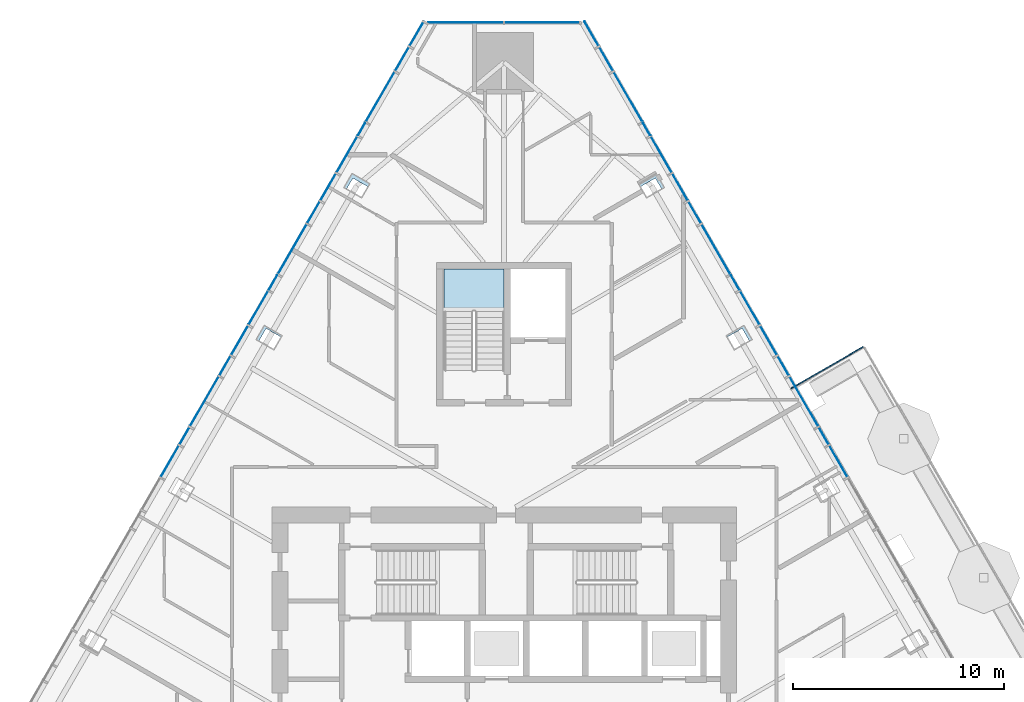
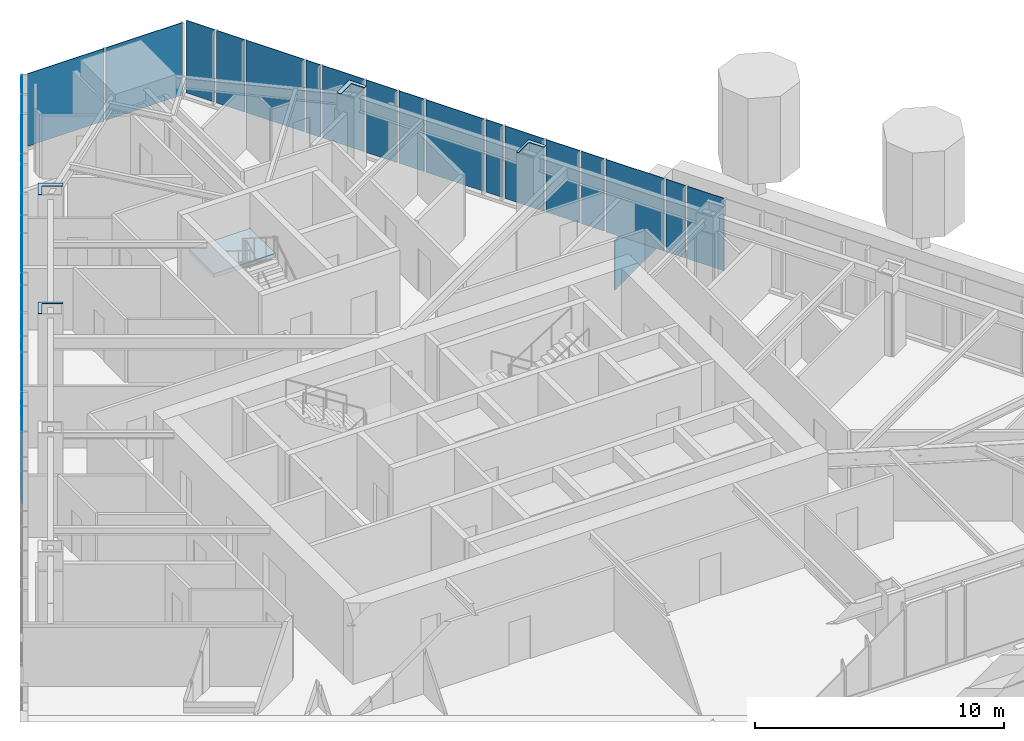
# One storey, part 10 of 18: 37 plates, 1 slab, 4 elements without a shape of their own.
"""IFC4 building model written with IfcOpenShell, lengths in metres."""

import ifcopenshell
import ifcopenshell.guid

model = None  # the IFC model being written
_history = None  # IfcOwnerHistory: only IFC2X3 demands one
_inside = {}  # id of a spatial element -> (the spatial element, [elements in it])
_under = {}  # id of a project, library or spatial element -> (it, [spatial elements below it])
_declared = {}  # id of a project -> (the project, [libraries it declares])
_typed = {}  # id of a type object -> (the type object, [elements of that type])
_made_of = {}  # id of a material, layer set ... -> (it, [elements and type objects made of it])


def new_model(schema):
    """Start an empty IFC model of exactly this schema.

    Asked for "IFC4X3", IfcOpenShell would pick the latest addendum, in which some entities
    have other attributes; the version numbers below select the first issue.
    IFC2X3 requires an IfcOwnerHistory on every rooted entity: one is made here for all.
    """
    global model, _history
    if schema == "IFC4X3":
        model = ifcopenshell.file(schema_version=(4, 3, 0, 0))
    else:
        model = ifcopenshell.file(schema=schema)
    _inside.clear()
    _under.clear()
    _declared.clear()
    _typed.clear()
    _made_of.clear()
    _history = None
    if model.schema == "IFC2X3":
        org = make("IfcOrganization", Name="unknown")
        user = make(
            "IfcPersonAndOrganization",
            ThePerson=make("IfcPerson", FamilyName="unknown"),
            TheOrganization=org,
        )
        app = make(
            "IfcApplication",
            ApplicationDeveloper=org,
            Version="unknown",
            ApplicationFullName="unknown",
            ApplicationIdentifier="unknown",
        )
        _history = make(
            "IfcOwnerHistory",
            OwningUser=user,
            OwningApplication=app,
            ChangeAction="ADDED",
            CreationDate=0,
        )
    return model


def make(cls, **values):
    """One entity of the class cls with the attributes given. An attribute that is None is left unset."""
    return model.create_entity(
        cls, **{name: value for name, value in values.items() if value is not None}
    )


def rooted(cls, **values):
    """An entity with a GlobalId (a new one), such as an element, a storey or a relation."""
    return make(cls, GlobalId=ifcopenshell.guid.new(), OwnerHistory=_history, **values)


def si_unit(unit_type, name, prefix=None):
    """IfcSIUnit, for example si_unit("LENGTHUNIT", "METRE", prefix="MILLI")."""
    return make("IfcSIUnit", UnitType=unit_type, Prefix=prefix, Name=name)


def assignment(units):
    """IfcUnitAssignment: the units of a project."""
    return None if units is None else make("IfcUnitAssignment", Units=units)


def point(xyz):
    """IfcCartesianPoint."""
    return None if xyz is None else make("IfcCartesianPoint", Coordinates=xyz)


def direction(xyz):
    """IfcDirection."""
    return None if xyz is None else make("IfcDirection", DirectionRatios=xyz)


def frame(location, z_axis=None, x_axis=None):
    """IfcAxis2Placement3D, a coordinate frame: its origin and axes. An axis left out is left unset."""
    return make(
        "IfcAxis2Placement3D",
        Location=point(location),
        Axis=direction(z_axis),
        RefDirection=direction(x_axis),
    )


def origin():
    """The frame at (0, 0, 0) with its axes left unset."""
    return frame((0.0, 0.0, 0.0))


def place(relative_to, where):
    """IfcLocalPlacement: puts the frame where relative to a parent placement (None: the world)."""
    return make(
        "IfcLocalPlacement", PlacementRelTo=relative_to, RelativePlacement=where
    )


def context(
    kind, dimensions, precision=None, world=None, true_north=None, identifier=None
):
    """IfcGeometricRepresentationContext, for example the 3D "Model" context."""
    return make(
        "IfcGeometricRepresentationContext",
        ContextIdentifier=identifier,
        ContextType=kind,
        CoordinateSpaceDimension=dimensions,
        Precision=precision,
        WorldCoordinateSystem=world,
        TrueNorth=true_north,
    )


def subcontext(parent, identifier, kind, view, scale=None):
    """IfcGeometricRepresentationSubContext, for example "Body" below "Model"."""
    return make(
        "IfcGeometricRepresentationSubContext",
        ContextIdentifier=identifier,
        ContextType=kind,
        ParentContext=parent,
        TargetScale=scale,
        TargetView=view,
    )


def project(units=None, contexts=None):
    """IfcProject with its units and contexts."""
    return rooted(
        "IfcProject",
        Name="project",
        RepresentationContexts=contexts,
        UnitsInContext=assignment(units),
    )


def spatial(cls, under=None, at=None, **own):
    """A site, building, storey or space (cls), placed at a placement, below another one or the project."""
    s = rooted(cls, ObjectPlacement=at, **own)
    if under is not None:
        _under.setdefault(under.id(), (under, []))[1].append(s)
    return s


def polyline(points):
    """IfcPolyline through the points."""
    return make("IfcPolyline", Points=[point(p) for p in points])


def outline(outer, holes=None, kind="AREA"):
    """IfcArbitraryClosedProfileDef: a profile drawn as a closed curve; with holes, ...WithVoids."""
    if holes is None:
        return make("IfcArbitraryClosedProfileDef", ProfileType=kind, OuterCurve=outer)
    return make(
        "IfcArbitraryProfileDefWithVoids",
        ProfileType=kind,
        OuterCurve=outer,
        InnerCurves=holes,
    )


def extrude(swept, where, along, depth):
    """IfcExtrudedAreaSolid: the profile swept, set in the frame where, extruded along a direction by depth."""
    return make(
        "IfcExtrudedAreaSolid",
        SweptArea=swept,
        Position=where,
        ExtrudedDirection=direction(along),
        Depth=depth,
    )


def shape(context_of_items, identifier, shape_type, items):
    """IfcShapeRepresentation: the items that make up one representation, for example the "Body"."""
    return make(
        "IfcShapeRepresentation",
        ContextOfItems=context_of_items,
        RepresentationIdentifier=identifier,
        RepresentationType=shape_type,
        Items=items,
    )


def material(Name=None, Category=None):
    """IfcMaterial."""
    return make("IfcMaterial", Name=Name, Category=Category)


def layer(
    of_material, thickness, ventilated=None, Name=None, Category=None, Priority=None
):
    """IfcMaterialLayer: one layer of a wall or slab, of a material (None: an air gap)."""
    return make(
        "IfcMaterialLayer",
        Material=of_material,
        LayerThickness=thickness,
        IsVentilated=ventilated,
        Name=Name,
        Category=Category,
        Priority=Priority,
    )


def layer_set(layers, Name=None):
    """IfcMaterialLayerSet."""
    return make("IfcMaterialLayerSet", MaterialLayers=layers, LayerSetName=Name)


def made_of(thing, what):
    """Note that an element or type object is made of a material, layer set ...; save() writes the relation."""
    if what is not None:
        _made_of.setdefault(what.id(), (what, []))[1].append(thing)
    return thing


def type_object(cls, material=None, **own):
    """A type object (cls), such as IfcWallType, which elements share."""
    return made_of(rooted(cls, **own), material)


def element(
    cls,
    number,
    at=None,
    inside=None,
    cuts=None,
    type_object=None,
    material=None,
    context=None,
    identifier="Body",
    shape_type=None,
    held_by="IfcProductDefinitionShape",
    body=None,
    shapes=None,
    **own,
):
    """One element of the class cls, such as IfcWall. Its Tag is "e" and its number.

    at: its placement. inside: the storey or other place that contains it. cuts: it is an
    opening in that element (IfcRelVoidsElement). A single representation is given by context,
    identifier, shape_type and body (its items); several are given by shapes. held_by: the class
    of the entity that holds the representations. save() writes the other relations.
    """
    e = rooted(cls, Tag="e%d" % number, ObjectPlacement=at, **own)
    if body is not None:
        shapes = [shape(context, identifier, shape_type, body)]
    if shapes is not None:
        e.Representation = make(held_by, Representations=shapes)
    if inside is not None:
        _inside.setdefault(inside.id(), (inside, []))[1].append(e)
    if cuts is not None:
        rooted(
            "IfcRelVoidsElement", RelatingBuildingElement=cuts, RelatedOpeningElement=e
        )
    if type_object is not None:
        _typed.setdefault(type_object.id(), (type_object, []))[1].append(e)
    return made_of(e, material)


def aggregate(whole, parts):
    """IfcRelAggregates: a whole, such as a stair, and the parts it consists of."""
    return rooted("IfcRelAggregates", RelatingObject=whole, RelatedObjects=parts)


def save(model, path):
    """Write the relations noted so far, then the file.

    IfcRelAggregates (storeys below a building ...), IfcRelContainedInSpatialStructure (elements
    in a storey), IfcRelDefinesByType, IfcRelAssociatesMaterial and IfcRelDeclares: one each for
    every whole, place, type object, material and project.
    """
    for whole, parts in _under.values():
        aggregate(whole, parts)
    for where, things in _inside.values():
        rooted(
            "IfcRelContainedInSpatialStructure",
            RelatedElements=things,
            RelatingStructure=where,
        )
    for kind, things in _typed.values():
        rooted("IfcRelDefinesByType", RelatedObjects=things, RelatingType=kind)
    for what, things in _made_of.values():
        rooted("IfcRelAssociatesMaterial", RelatedObjects=things, RelatingMaterial=what)
    for by, libraries in _declared.values():
        rooted("IfcRelDeclares", RelatingContext=by, RelatedDefinitions=libraries)
    model.write(path)


model = new_model("IFC4")

# Units and contexts
model_context = context("Model", 3, precision=1e-05, world=origin(), true_north=direction((0.0, 1.0)))
body_context = subcontext(model_context, "Body", "Model", "MODEL_VIEW")
ifc_project = project(units=[si_unit("LENGTHUNIT", "METRE"), si_unit("AREAUNIT", "SQUARE_METRE"), si_unit("VOLUMEUNIT", "CUBIC_METRE"), si_unit("PLANEANGLEUNIT", "RADIAN"), si_unit("MASSUNIT", "GRAM", prefix="KILO")], contexts=[model_context])

# Site, building, storey
site_placement = place(None, origin())
site = spatial("IfcSite", under=ifc_project, at=site_placement, CompositionType="ELEMENT")
building_placement = place(site_placement, origin())
building = spatial("IfcBuilding", under=site, at=building_placement, Name="Firuza Gate Tower and Library", CompositionType="ELEMENT")
storey_placement = place(building_placement, frame((0.0, 0.0, 226.0)))
storey = spatial("IfcBuildingStorey", under=building, at=storey_placement, Name="L53", CompositionType="ELEMENT", Elevation=226.0)

# Plates
ifc_material_1 = material(Name="Steel S355", Category="steel")
ifc_layer_1 = layer(ifc_material_1, 0.030029296875)
ifc_layer_set_1 = layer_set([ifc_layer_1], Name="Column infill plate 30 Steel S355")
plate_type_1 = type_object("IfcPlateType", Name="Column infill plate 30 Steel S355", PredefinedType="SHEET", material=ifc_layer_set_1)
placement_1 = place(storey_placement, frame((0.0, 0.0, 3.89990234375)))
element("IfcPlate", 1, at=placement_1, inside=storey, type_object=plate_type_1, Name="Infill plate L53:E4", PredefinedType="SHEET", context=body_context, shape_type="SweptSolid", body=[
    extrude(outline(polyline([(85.505126953125, 91.13134765625), (85.55126953125, 91.0517578125), (86.279052734375, 91.471923828125), (86.633056640625, 90.85888671875), (86.771240234375, 90.9384765625), (86.37109375, 91.63134765625), (85.505126953125, 91.13134765625)])), origin(), (0.0, 0.0, 1.0), 0.030029296875),
])
element("IfcPlate", 2, at=placement_1, inside=storey, type_object=plate_type_1, Name="Infill plate L53:E5", PredefinedType="SHEET", context=body_context, shape_type="SweptSolid", body=[
    extrude(outline(polyline([(81.346435546875, 98.334716796875), (81.4384765625, 98.17529296875), (82.166259765625, 98.595458984375), (82.474365234375, 98.06201171875), (82.6123046875, 98.141845703125), (82.21240234375, 98.834716796875), (81.346435546875, 98.334716796875)])), origin(), (0.0, 0.0, 1.0), 0.030029296875),
])
element("IfcPlate", 3, at=placement_1, inside=storey, type_object=plate_type_1, Name="Infill plate L53:W1", PredefinedType="SHEET", context=body_context, shape_type="SweptSolid", body=[
    extrude(outline(polyline([(67.3876953125, 98.141845703125), (67.525634765625, 98.06201171875), (67.833740234375, 98.595458984375), (68.5615234375, 98.17529296875), (68.653564453125, 98.334716796875), (67.78759765625, 98.834716796875), (67.3876953125, 98.141845703125)])), origin(), (0.0, 0.0, 1.0), 0.030029296875),
])
element("IfcPlate", 4, at=placement_1, inside=storey, type_object=plate_type_1, Name="Infill plate L53:W2", PredefinedType="SHEET", context=body_context, shape_type="SweptSolid", body=[
    extrude(outline(polyline([(63.228759765625, 90.9384765625), (63.366943359375, 90.85888671875), (63.720947265625, 91.471923828125), (64.44873046875, 91.0517578125), (64.494873046875, 91.13134765625), (63.62890625, 91.63134765625), (63.228759765625, 90.9384765625)])), origin(), (0.0, 0.0, 1.0), 0.030029296875),
])

# Curtain wall, plates
ifc_material_2 = material(Name="Aluminium 6063-T6", Category="aluminium")
ifc_layer_2 = layer(ifc_material_2, 0.14990234375)
ifc_layer_set_2 = layer_set([ifc_layer_2], Name="Corner curtain wall, chamfers")
curtain_wall_type_1 = type_object("IfcCurtainWallType", Name="Corner curtain wall, chamfers", PredefinedType="NOTDEFINED", material=ifc_layer_set_2)
placement_2 = place(storey_placement, origin())
curtain_wall_1 = element("IfcCurtainWall", 5, at=placement_2, inside=storey, type_object=curtain_wall_type_1, Name="CW4 L53 N corner", PredefinedType="NOTDEFINED")
ifc_material_3 = material(Name="Fritted glass", Category="glass")
ifc_layer_3 = layer(ifc_material_3, 0.030029296875)
ifc_layer_set_3 = layer_set([ifc_layer_3], Name="Fritted glass unit, corners")
plate_type_2 = type_object("IfcPlateType", Name="Fritted glass unit, corners", PredefinedType="CURTAIN_PANEL", material=ifc_layer_set_3)
plate_5_placement = place(storey_placement, frame((78.603271484375, 105.9814453125, 0.14990234375), z_axis=(0.0, 1.0, 0.0), x_axis=(-1.0, 0.0, 0.0)))
plate_5 = element("IfcPlate", 6, at=plate_5_placement, type_object=plate_type_2, Name="Glass unit", PredefinedType="CURTAIN_PANEL", context=body_context, shape_type="SweptSolid", body=[
    extrude(outline(polyline([(0.0, 0.0), (3.563232421875, 0.0), (3.563232421875, 3.550048828125), (0.0, 3.550048828125), (0.0, 0.0)])), origin(), (0.0, 0.0, -1.0), 0.030029296875),
])
plate_6_placement = place(storey_placement, frame((74.9599609375, 105.9814453125, 0.14990234375), z_axis=(0.0, 1.0, 0.0), x_axis=(-1.0, 0.0, 0.0)))
plate_6 = element("IfcPlate", 7, at=plate_6_placement, type_object=plate_type_2, Name="Glass unit", PredefinedType="CURTAIN_PANEL", context=body_context, shape_type="SweptSolid", body=[
    extrude(outline(polyline([(0.0, 0.0), (3.563232421875, 0.0), (3.563232421875, 3.550048828125), (0.0, 3.550048828125), (0.0, 0.0)])), origin(), (0.0, 0.0, -1.0), 0.030029296875),
])
aggregate(curtain_wall_1, [plate_5, plate_6])

ifc_material_4 = material(Name="Aluminium 6063-T6", Category="aluminium")
ifc_layer_4 = layer(ifc_material_4, 0.14990234375)
ifc_layer_set_4 = layer_set([ifc_layer_4], Name="Unitised curtain wall, hotel")
curtain_wall_type_2 = type_object("IfcCurtainWallType", Name="Unitised curtain wall, hotel", PredefinedType="NOTDEFINED", material=ifc_layer_set_4)
curtain_wall_2 = element("IfcCurtainWall", 8, at=placement_2, inside=storey, type_object=curtain_wall_type_2, Name="CW2 L53 E face", PredefinedType="NOTDEFINED")
ifc_material_5 = material(Name="Fritted glass", Category="glass")
ifc_layer_5 = layer(ifc_material_5, 0.030029296875)
ifc_layer_set_5 = layer_set([ifc_layer_5], Name="Fritted glass unit, hotel")
plate_type_3 = type_object("IfcPlateType", Name="Fritted glass unit, hotel", PredefinedType="CURTAIN_PANEL", material=ifc_layer_set_5)
plate_7_placement = place(storey_placement, frame((91.281494140625, 84.4462890625, 0.14990234375), z_axis=(0.866042039906, 0.499971184285, 0.0), x_axis=(-0.499971184285, 0.866042039906, 0.0)))
plate_7 = element("IfcPlate", 9, at=plate_7_placement, type_object=plate_type_3, Name="Glass unit", PredefinedType="CURTAIN_PANEL", context=body_context, shape_type="SweptSolid", body=[
    extrude(outline(polyline([(0.0, 0.0), (1.6993166840492058, 0.0), (1.6993166840492058, 3.550048828125), (0.0, 3.550048828125), (0.0, 0.0)])), origin(), (0.0, 0.0, -1.0), 0.030029296875),
])
plate_8_placement = place(storey_placement, frame((87.943359375, 90.228271484375, 0.14990234375), z_axis=(0.86601269935, 0.50002200408, 0.0), x_axis=(-0.50002200408, 0.86601269935, 0.0)))
plate_8 = element("IfcPlate", 10, at=plate_8_placement, type_object=plate_type_3, Name="Glass unit", PredefinedType="CURTAIN_PANEL", context=body_context, shape_type="SweptSolid", body=[
    extrude(outline(polyline([(0.0, 0.0), (1.5756142538658275, 0.0), (1.5756142538658275, 3.550048828125), (0.0, 3.550048828125), (0.0, 0.0)])), origin(), (0.0, 0.0, -1.0), 0.030029296875),
])
plate_9_placement = place(storey_placement, frame((87.115478515625, 91.662109375, 0.14990234375), z_axis=(0.86603391986, 0.499985249434, 0.0), x_axis=(-0.499985249434, 0.86603391986, 0.0)))
plate_9 = element("IfcPlate", 11, at=plate_9_placement, type_object=plate_type_3, Name="Glass unit", PredefinedType="CURTAIN_PANEL", context=body_context, shape_type="SweptSolid", body=[
    extrude(outline(polyline([(0.0, 0.0), (1.8228076811409097, 0.0), (1.8228076811409097, 3.550048828125), (0.0, 3.550048828125), (0.0, 0.0)])), origin(), (0.0, 0.0, -1.0), 0.030029296875),
])
plate_10_placement = place(storey_placement, frame((83.715576171875, 97.551025390625, 0.14990234375), z_axis=(0.866020397698, 0.500008670696, 0.0), x_axis=(-0.500008670696, 0.866020397698, 0.0)))
plate_10 = element("IfcPlate", 12, at=plate_10_placement, type_object=plate_type_3, Name="Glass unit", PredefinedType="CURTAIN_PANEL", context=body_context, shape_type="SweptSolid", body=[
    extrude(outline(polyline([(0.0, 0.0), (1.4521232556620502, 0.0), (1.4521232556620502, 3.550048828125001), (0.0, 3.550048828125001), (0.0, 0.0)])), origin(), (0.0, 0.0, -1.0), 0.030029296875),
])
plate_11_placement = place(storey_placement, frame((82.949462890625, 98.8779296875, 0.14990234375), z_axis=(0.866026830048, 0.499997529631, 0.0), x_axis=(-0.499997529631, 0.866026830048, 0.0)))
plate_11 = element("IfcPlate", 13, at=plate_11_placement, type_object=plate_type_3, Name="Glass unit", PredefinedType="CURTAIN_PANEL", context=body_context, shape_type="SweptSolid", body=[
    extrude(outline(polyline([(0.0, 0.0), (1.9462986786523924, 0.0), (1.9462986786523924, 3.5500488281249996), (0.0, 3.5500488281249996), (0.0, 0.0)])), origin(), (0.0, 0.0, -1.0), 0.030029296875),
])
plate_12_placement = place(storey_placement, frame((79.487548828125, 104.8740234375, 0.14990234375), z_axis=(0.866063163075, 0.499934593286, 0.0), x_axis=(-0.499934593286, 0.866063163075, 0.0)))
plate_12 = element("IfcPlate", 14, at=plate_12_placement, type_object=plate_type_3, Name="Glass unit", PredefinedType="CURTAIN_PANEL", context=body_context, shape_type="SweptSolid", body=[
    extrude(outline(polyline([(0.0, 0.0), (1.3282987593136344, 0.0), (1.3282987593136344, 3.550048828125), (0.0, 3.550048828125), (0.0, 0.0)])), origin(), (0.0, 0.0, -1.0), 0.030029296875),
])

curtain_wall_3 = element("IfcCurtainWall", 15, at=placement_2, inside=storey, type_object=curtain_wall_type_2, Name="CW2 L53 W face", PredefinedType="NOTDEFINED")
plate_13_placement = place(storey_placement, frame((71.176513671875, 106.0244140625, 0.14990234375), z_axis=(-0.866063163075, 0.499934593286, 0.0), x_axis=(-0.499934593286, -0.866063163075, 0.0)))
plate_13 = element("IfcPlate", 16, at=plate_13_placement, type_object=plate_type_3, Name="Glass unit", PredefinedType="CURTAIN_PANEL", context=body_context, shape_type="SweptSolid", body=[
    extrude(outline(polyline([(0.0, 0.0), (1.3282987593136344, 0.0), (1.3282987593136344, 3.550048828125), (0.0, 3.550048828125), (0.0, 0.0)])), origin(), (0.0, 0.0, -1.0), 0.030029296875),
])
plate_14_placement = place(storey_placement, frame((68.023681640625, 100.5634765625, 0.14990234375), z_axis=(-0.866026830048, 0.499997529631, 0.0), x_axis=(-0.499997529631, -0.866026830048, 0.0)))
plate_14 = element("IfcPlate", 17, at=plate_14_placement, type_object=plate_type_3, Name="Glass unit", PredefinedType="CURTAIN_PANEL", context=body_context, shape_type="SweptSolid", body=[
    extrude(outline(polyline([(0.0, 0.0), (1.9462986786523924, 0.0), (1.9462986786523924, 3.5500488281249996), (0.0, 3.5500488281249996), (0.0, 0.0)])), origin(), (0.0, 0.0, -1.0), 0.030029296875),
])
plate_15_placement = place(storey_placement, frame((67.010498046875, 98.80859375, 0.14990234375), z_axis=(-0.866020397698, 0.500008670696, 0.0), x_axis=(-0.500008670696, -0.866020397698, 0.0)))
plate_15 = element("IfcPlate", 18, at=plate_15_placement, type_object=plate_type_3, Name="Glass unit", PredefinedType="CURTAIN_PANEL", context=body_context, shape_type="SweptSolid", body=[
    extrude(outline(polyline([(0.0, 0.0), (1.4521232556620502, 0.0), (1.4521232556620502, 3.550048828125001), (0.0, 3.550048828125001), (0.0, 0.0)])), origin(), (0.0, 0.0, -1.0), 0.030029296875),
])
plate_16_placement = place(storey_placement, frame((63.7958984375, 93.24072265625, 0.14990234375), z_axis=(-0.86603391986, 0.499985249434, 0.0), x_axis=(-0.499985249434, -0.86603391986, 0.0)))
plate_16 = element("IfcPlate", 19, at=plate_16_placement, type_object=plate_type_3, Name="Glass unit", PredefinedType="CURTAIN_PANEL", context=body_context, shape_type="SweptSolid", body=[
    extrude(outline(polyline([(0.0, 0.0), (1.8228076811409097, 0.0), (1.8228076811409097, 3.550048828125), (0.0, 3.550048828125), (0.0, 0.0)])), origin(), (0.0, 0.0, -1.0), 0.030029296875),
])
plate_17_placement = place(storey_placement, frame((62.844482421875, 91.5927734375, 0.14990234375), z_axis=(-0.86601269935, 0.50002200408, 0.0), x_axis=(-0.50002200408, -0.86601269935, 0.0)))
plate_17 = element("IfcPlate", 20, at=plate_17_placement, type_object=plate_type_3, Name="Glass unit", PredefinedType="CURTAIN_PANEL", context=body_context, shape_type="SweptSolid", body=[
    extrude(outline(polyline([(0.0, 0.0), (1.5756142538658275, 0.0), (1.5756142538658275, 3.550048828125), (0.0, 3.550048828125), (0.0, 0.0)])), origin(), (0.0, 0.0, -1.0), 0.030029296875),
])
plate_18_placement = place(storey_placement, frame((59.568115234375, 85.91796875, 0.14990234375), z_axis=(-0.866042039906, 0.499971184285, 0.0), x_axis=(-0.499971184285, -0.866042039906, 0.0)))
plate_18 = element("IfcPlate", 21, at=plate_18_placement, type_object=plate_type_3, Name="Glass unit", PredefinedType="CURTAIN_PANEL", context=body_context, shape_type="SweptSolid", body=[
    extrude(outline(polyline([(0.0, 0.0), (1.6993166840492058, 0.0), (1.6993166840492058, 3.550048828125), (0.0, 3.550048828125), (0.0, 0.0)])), origin(), (0.0, 0.0, -1.0), 0.030029296875),
])

# Plate
ifc_material_6 = material(Name="Glazed ceramic tile")
ifc_layer_6 = layer(ifc_material_6, 0.030029296875)
ifc_layer_set_6 = layer_set([ifc_layer_6], Name="Opaque ceramic panel, hotel")
plate_type_4 = type_object("IfcPlateType", Name="Opaque ceramic panel, hotel", PredefinedType="CURTAIN_PANEL", material=ifc_layer_set_6)
plate_19_placement = place(storey_placement, frame((90.391845703125, 85.9873046875, 0.14990234375), z_axis=(0.866008413041, 0.500029427677, 0.0), x_axis=(-0.500029427677, 0.866008413041, 0.0)))
plate_19 = element("IfcPlate", 22, at=plate_19_placement, type_object=plate_type_4, Name="Opaque ceramic panel", PredefinedType="CURTAIN_PANEL", context=body_context, shape_type="SweptSolid", body=[
    extrude(outline(polyline([(0.0, 0.0), (0.9179147258039041, 0.0), (0.9179147258039041, 3.550048828125001), (0.0, 3.550048828125001), (0.0, 0.0)])), origin(), (0.0, 0.0, -1.0), 0.030029296875),
])

plate_20_placement = place(storey_placement, frame((89.892822265625, 86.8515625, 0.14990234375), z_axis=(0.866028828302, 0.499994068514, 0.0), x_axis=(-0.499994068514, 0.866028828302, 0.0)))
plate_20 = element("IfcPlate", 23, at=plate_20_placement, type_object=plate_type_4, Name="Opaque ceramic panel", PredefinedType="CURTAIN_PANEL", context=body_context, shape_type="SweptSolid", body=[
    extrude(outline(polyline([(0.0, 0.0), (2.6972976229659773, 0.0), (2.6972976229659773, 3.550048828125001), (0.0, 3.550048828125001), (0.0, 0.0)])), origin(), (0.0, 0.0, -1.0), 0.030029296875),
])

plate_21_placement = place(storey_placement, frame((88.504150390625, 89.2568359375, 0.14990234375), z_axis=(0.866056787991, 0.499945637019, 0.0), x_axis=(-0.499945637019, 0.866056787991, 0.0)))
plate_21 = element("IfcPlate", 24, at=plate_21_placement, type_object=plate_type_4, Name="Opaque ceramic panel", PredefinedType="CURTAIN_PANEL", context=body_context, shape_type="SweptSolid", body=[
    extrude(outline(polyline([(0.0, 0.0), (1.041617157077412, 0.0), (1.041617157077412, 3.550048828125), (0.0, 3.550048828125), (0.0, 0.0)])), origin(), (0.0, 0.0, -1.0), 0.030029296875),
])

plate_22_placement = place(storey_placement, frame((86.1640625, 93.31005859375, 0.14990234375), z_axis=(0.866021818598, 0.500006209673, 0.0), x_axis=(-0.500006209673, 0.866021818598, 0.0)))
plate_22 = element("IfcPlate", 25, at=plate_22_placement, type_object=plate_type_4, Name="Opaque ceramic panel", PredefinedType="CURTAIN_PANEL", context=body_context, shape_type="SweptSolid", body=[
    extrude(outline(polyline([(0.0, 0.0), (0.7944237275264152, 0.0), (0.7944237275264152, 3.550048828125), (0.0, 3.550048828125), (0.0, 0.0)])), origin(), (0.0, 0.0, -1.0), 0.030029296875),
])

plate_23_placement = place(storey_placement, frame((85.726806640625, 94.0673828125, 0.14990234375), z_axis=(0.866028828302, 0.499994068514, 0.0), x_axis=(-0.499994068514, 0.866028828302, 0.0)))
plate_23 = element("IfcPlate", 26, at=plate_23_placement, type_object=plate_type_4, Name="Opaque ceramic panel", PredefinedType="CURTAIN_PANEL", context=body_context, shape_type="SweptSolid", body=[
    extrude(outline(polyline([(0.0, 0.0), (2.6972976229659773, 0.0), (2.6972976229659773, 3.550048828125001), (0.0, 3.550048828125001), (0.0, 0.0)])), origin(), (0.0, 0.0, -1.0), 0.030029296875),
])

plate_24_placement = place(storey_placement, frame((84.338134765625, 96.47265625, 0.14990234375), z_axis=(0.86609488692, 0.499879632363, 0.0), x_axis=(-0.499879632363, 0.86609488692, 0.0)))
plate_24 = element("IfcPlate", 27, at=plate_24_placement, type_object=plate_type_4, Name="Opaque ceramic panel", PredefinedType="CURTAIN_PANEL", context=body_context, shape_type="SweptSolid", body=[
    extrude(outline(polyline([(0.0, 0.0), (1.1653195960313958, 0.0), (1.1653195960313958, 3.550048828125), (0.0, 3.550048828125), (0.0, 0.0)])), origin(), (0.0, 0.0, -1.0), 0.030029296875),
])

plate_25_placement = place(storey_placement, frame((81.936279296875, 100.6328125, 0.14990234375), z_axis=(0.866040157966, 0.499974444137, 0.0), x_axis=(-0.499974444137, 0.866040157966, 0.0)))
plate_25 = element("IfcPlate", 28, at=plate_25_placement, type_object=plate_type_4, Name="Opaque ceramic panel", PredefinedType="CURTAIN_PANEL", context=body_context, shape_type="SweptSolid", body=[
    extrude(outline(polyline([(0.0, 0.0), (0.6709327300301484, 0.0), (0.6709327300301484, 3.550048828125), (0.0, 3.550048828125), (0.0, 0.0)])), origin(), (0.0, 0.0, -1.0), 0.030029296875),
])

plate_26_placement = place(storey_placement, frame((81.560791015625, 101.283203125, 0.14990234375), z_axis=(0.866028828302, 0.499994068514, 0.0), x_axis=(-0.499994068514, 0.866028828302, 0.0)))
plate_26 = element("IfcPlate", 29, at=plate_26_placement, type_object=plate_type_4, Name="Opaque ceramic panel", PredefinedType="CURTAIN_PANEL", context=body_context, shape_type="SweptSolid", body=[
    extrude(outline(polyline([(0.0, 0.0), (2.6972976229659773, 0.0), (2.6972976229659773, 3.550048828125001), (0.0, 3.550048828125001), (0.0, 0.0)])), origin(), (0.0, 0.0, -1.0), 0.030029296875),
])

plate_27_placement = place(storey_placement, frame((80.172119140625, 103.688232421875, 0.14990234375), z_axis=(0.866043672316, 0.49996835664, 0.0), x_axis=(-0.49996835664, 0.866043672316, 0.0)))
plate_27 = element("IfcPlate", 30, at=plate_27_placement, type_object=plate_type_4, Name="Opaque ceramic panel", PredefinedType="CURTAIN_PANEL", context=body_context, shape_type="SweptSolid", body=[
    extrude(outline(polyline([(0.0, 0.0), (1.2891440857009206, 0.0), (1.2891440857009206, 3.550048828125), (0.0, 3.550048828125), (0.0, 0.0)])), origin(), (0.0, 0.0, -1.0), 0.030029296875),
])

aggregate(curtain_wall_2, [plate_7, plate_19, plate_20, plate_21, plate_8, plate_9, plate_22, plate_23, plate_24, plate_10, plate_11, plate_25, plate_26, plate_27, plate_12])

plate_28_placement = place(storey_placement, frame((70.472412109375, 104.8046875, 0.14990234375), z_axis=(-0.866043672316, 0.49996835664, 0.0), x_axis=(-0.49996835664, -0.866043672316, 0.0)))
plate_28 = element("IfcPlate", 31, at=plate_28_placement, type_object=plate_type_4, Name="Opaque ceramic panel", PredefinedType="CURTAIN_PANEL", context=body_context, shape_type="SweptSolid", body=[
    extrude(outline(polyline([(0.0, 0.0), (1.2891440857009206, 0.0), (1.2891440857009206, 3.550048828125), (0.0, 3.550048828125), (0.0, 0.0)])), origin(), (0.0, 0.0, -1.0), 0.030029296875),
])

plate_29_placement = place(storey_placement, frame((69.787841796875, 103.619140625, 0.14990234375), z_axis=(-0.866028828302, 0.499994068514, 0.0), x_axis=(-0.499994068514, -0.866028828302, 0.0)))
plate_29 = element("IfcPlate", 32, at=plate_29_placement, type_object=plate_type_4, Name="Opaque ceramic panel", PredefinedType="CURTAIN_PANEL", context=body_context, shape_type="SweptSolid", body=[
    extrude(outline(polyline([(0.0, 0.0), (2.6972976229659773, 0.0), (2.6972976229659773, 3.550048828125001), (0.0, 3.550048828125001), (0.0, 0.0)])), origin(), (0.0, 0.0, -1.0), 0.030029296875),
])

plate_30_placement = place(storey_placement, frame((68.399169921875, 101.2138671875, 0.14990234375), z_axis=(-0.866040157966, 0.499974444137, 0.0), x_axis=(-0.499974444137, -0.866040157966, 0.0)))
plate_30 = element("IfcPlate", 33, at=plate_30_placement, type_object=plate_type_4, Name="Opaque ceramic panel", PredefinedType="CURTAIN_PANEL", context=body_context, shape_type="SweptSolid", body=[
    extrude(outline(polyline([(0.0, 0.0), (0.6709327300301484, 0.0), (0.6709327300301484, 3.550048828125), (0.0, 3.550048828125), (0.0, 0.0)])), origin(), (0.0, 0.0, -1.0), 0.030029296875),
])

plate_31_placement = place(storey_placement, frame((66.244384765625, 97.48193359375, 0.14990234375), z_axis=(-0.86609488692, 0.499879632363, 0.0), x_axis=(-0.499879632363, -0.86609488692, 0.0)))
plate_31 = element("IfcPlate", 34, at=plate_31_placement, type_object=plate_type_4, Name="Opaque ceramic panel", PredefinedType="CURTAIN_PANEL", context=body_context, shape_type="SweptSolid", body=[
    extrude(outline(polyline([(0.0, 0.0), (1.1653195960313958, 0.0), (1.1653195960313958, 3.550048828125), (0.0, 3.550048828125), (0.0, 0.0)])), origin(), (0.0, 0.0, -1.0), 0.030029296875),
])

plate_32_placement = place(storey_placement, frame((65.621826171875, 96.4033203125, 0.14990234375), z_axis=(-0.866028828302, 0.499994068514, 0.0), x_axis=(-0.499994068514, -0.866028828302, 0.0)))
plate_32 = element("IfcPlate", 35, at=plate_32_placement, type_object=plate_type_4, Name="Opaque ceramic panel", PredefinedType="CURTAIN_PANEL", context=body_context, shape_type="SweptSolid", body=[
    extrude(outline(polyline([(0.0, 0.0), (2.6972976229659773, 0.0), (2.6972976229659773, 3.550048828125001), (0.0, 3.550048828125001), (0.0, 0.0)])), origin(), (0.0, 0.0, -1.0), 0.030029296875),
])

plate_33_placement = place(storey_placement, frame((64.233154296875, 93.998046875, 0.14990234375), z_axis=(-0.866021818598, 0.500006209673, 0.0), x_axis=(-0.500006209673, -0.866021818598, 0.0)))
plate_33 = element("IfcPlate", 36, at=plate_33_placement, type_object=plate_type_4, Name="Opaque ceramic panel", PredefinedType="CURTAIN_PANEL", context=body_context, shape_type="SweptSolid", body=[
    extrude(outline(polyline([(0.0, 0.0), (0.7944237275264152, 0.0), (0.7944237275264152, 3.550048828125), (0.0, 3.550048828125), (0.0, 0.0)])), origin(), (0.0, 0.0, -1.0), 0.030029296875),
])

plate_34_placement = place(storey_placement, frame((62.0166015625, 90.158935546875, 0.14990234375), z_axis=(-0.866056787991, 0.499945637019, 0.0), x_axis=(-0.499945637019, -0.866056787991, 0.0)))
plate_34 = element("IfcPlate", 37, at=plate_34_placement, type_object=plate_type_4, Name="Opaque ceramic panel", PredefinedType="CURTAIN_PANEL", context=body_context, shape_type="SweptSolid", body=[
    extrude(outline(polyline([(0.0, 0.0), (1.041617157077412, 0.0), (1.041617157077412, 3.550048828125), (0.0, 3.550048828125), (0.0, 0.0)])), origin(), (0.0, 0.0, -1.0), 0.030029296875),
])

plate_35_placement = place(storey_placement, frame((61.455810546875, 89.1875, 0.14990234375), z_axis=(-0.866028828302, 0.499994068514, 0.0), x_axis=(-0.499994068514, -0.866028828302, 0.0)))
plate_35 = element("IfcPlate", 38, at=plate_35_placement, type_object=plate_type_4, Name="Opaque ceramic panel", PredefinedType="CURTAIN_PANEL", context=body_context, shape_type="SweptSolid", body=[
    extrude(outline(polyline([(0.0, 0.0), (2.6972976229659773, 0.0), (2.6972976229659773, 3.550048828125001), (0.0, 3.550048828125001), (0.0, 0.0)])), origin(), (0.0, 0.0, -1.0), 0.030029296875),
])

plate_36_placement = place(storey_placement, frame((60.067138671875, 86.7822265625, 0.14990234375), z_axis=(-0.866008413041, 0.500029427677, 0.0), x_axis=(-0.500029427677, -0.866008413041, 0.0)))
plate_36 = element("IfcPlate", 39, at=plate_36_placement, type_object=plate_type_4, Name="Opaque ceramic panel", PredefinedType="CURTAIN_PANEL", context=body_context, shape_type="SweptSolid", body=[
    extrude(outline(polyline([(0.0, 0.0), (0.9179147258039041, 0.0), (0.9179147258039041, 3.550048828125001), (0.0, 3.550048828125001), (0.0, 0.0)])), origin(), (0.0, 0.0, -1.0), 0.030029296875),
])

aggregate(curtain_wall_3, [plate_13, plate_28, plate_29, plate_30, plate_14, plate_15, plate_31, plate_32, plate_33, plate_16, plate_17, plate_34, plate_35, plate_36, plate_18])

# Stair, slab
ifc_material_7 = material(Name="Concrete C35/45", Category="concrete")
stair_type = type_object("IfcStairType", Name="Exit stair ST16", PredefinedType="HALF_TURN_STAIR", material=ifc_material_7)
stair = element("IfcStair", 40, at=placement_2, inside=storey, type_object=stair_type, Name="L53 Stair ST3", PredefinedType="HALF_TURN_STAIR")
ifc_material_8 = material(Name="Concrete C35/45", Category="concrete")
ifc_layer_7 = layer(ifc_material_8, 0.199951171875)
ifc_layer_set_7 = layer_set([ifc_layer_7], Name="Stair landing 200")
slab_type = type_object("IfcSlabType", Name="Stair landing 200", PredefinedType="LANDING", material=ifc_layer_set_7)
slab_placement = place(storey_placement, frame((0.0, 0.0, 1.75)))
slab = element("IfcSlab", 41, at=slab_placement, type_object=slab_type, Name="ST3 landing 1", PredefinedType="LANDING", context=body_context, shape_type="SweptSolid", body=[
    extrude(outline(polyline([(75.0, 92.27001953125), (75.0, 94.300048828125), (72.159912109375, 94.300048828125), (72.159912109375, 92.27001953125), (75.0, 92.27001953125)])), origin(), (0.0, 0.0, 1.0), 0.199951171875),
])
aggregate(stair, [slab])

# Plate
ifc_material_9 = material(Name="Aluminium 6063-T6", Category="aluminium")
ifc_layer_8 = layer(ifc_material_9, 0.050048828125)
ifc_layer_set_8 = layer_set([ifc_layer_8], Name="Tray fascia panel 50")
plate_type_5 = type_object("IfcPlateType", Name="Tray fascia panel 50", PredefinedType="SHEET", material=ifc_layer_set_8)
plate_37_placement = place(storey_placement, frame((92.001953125, 90.617919921875, -2.39990234375), z_axis=(-0.500024631762, 0.866011182163, 0.0), x_axis=(-0.866011182163, -0.500024631762, 0.0)))
element("IfcPlate", 42, at=plate_37_placement, inside=storey, type_object=plate_type_5, Name="Tray fascia L53 4", PredefinedType="SHEET", context=body_context, shape_type="SweptSolid", body=[
    extrude(outline(polyline([(0.0, 0.0), (3.939747320413783, 0.0), (3.939747320413783, 2.39990234375), (0.0, 2.39990234375), (0.0, 0.0)])), origin(), (0.0, 0.0, -1.0), 0.050048828125),
])

save(model, "model.ifc")
